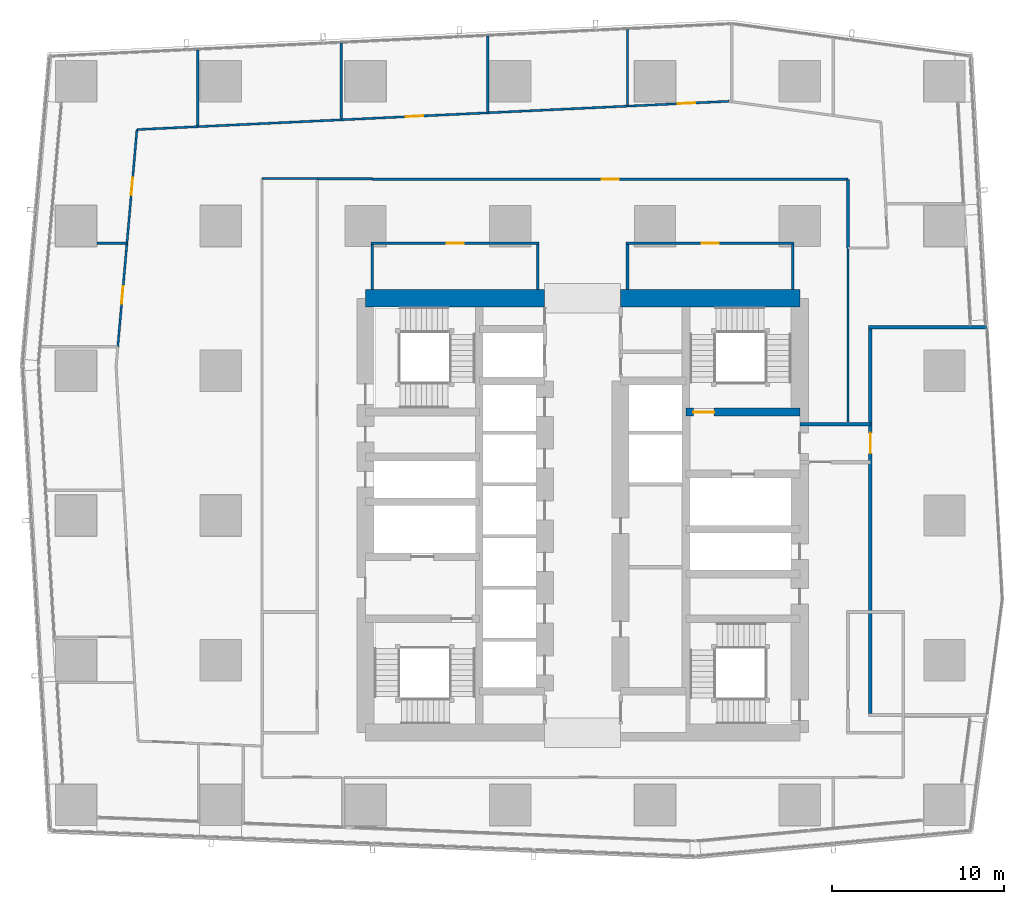
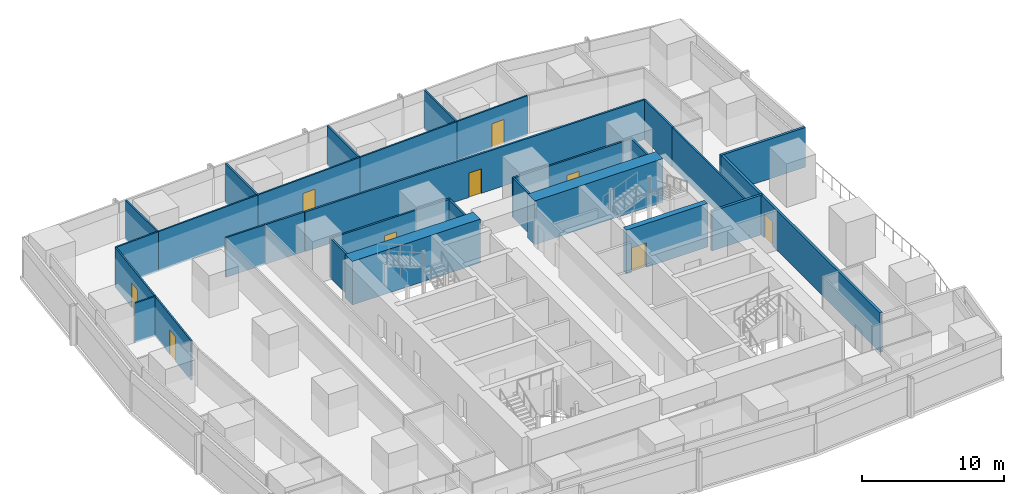
# One storey, part 25 of 34: 29 walls, 9 doors, 9 openings.
"""IFC4 building model written with IfcOpenShell, lengths in metres."""

from ifc_helpers import new_model, si_unit, direction, frame, frame_2d, origin, place, context, subcontext, project, spatial, rectangle, extrude, material, layer, layer_set, type_object, element, fill, save


model = new_model("IFC4")

# Units and contexts
model_context = context("Model", 3, precision=1e-05, world=origin(), true_north=direction((0.0, 1.0)))
body_context = subcontext(model_context, "Body", "Model", "MODEL_VIEW")
ifc_project = project(units=[si_unit("LENGTHUNIT", "METRE"), si_unit("AREAUNIT", "SQUARE_METRE"), si_unit("VOLUMEUNIT", "CUBIC_METRE"), si_unit("PLANEANGLEUNIT", "RADIAN"), si_unit("MASSUNIT", "GRAM", prefix="KILO")], contexts=[model_context])

# Site, building, storey
site_placement = place(None, origin())
site = spatial("IfcSite", under=ifc_project, at=site_placement, CompositionType="ELEMENT")
building_placement = place(site_placement, origin())
building = spatial("IfcBuilding", under=site, at=building_placement, Name="Rekha Terrace Tower", CompositionType="ELEMENT")
storey_placement = place(building_placement, frame((0.0, 0.0, 236.449951171875)))
storey = spatial("IfcBuildingStorey", under=building, at=storey_placement, Name="L60", CompositionType="ELEMENT", Elevation=236.449951171875)

# Wall, opening, door
ifc_material_1 = material(Name="Concrete M60", Category="concrete")
ifc_layer_1 = layer(ifc_material_1, 0.449951171875)
ifc_layer_set_1 = layer_set([ifc_layer_1], Name="Concrete M60")
wall_type_1 = type_object("IfcWallType", Name="CI3 450 core internal shear wall", PredefinedType="SHEAR", material=ifc_layer_set_1)
wall_1_placement = place(storey_placement, frame((43.800048828125, 39.60009765625, 0.0), z_axis=(0.0, 0.0, 1.0), x_axis=(1.0, 0.0, 0.0)))
wall_1 = element("IfcWall", 1, at=wall_1_placement, inside=storey, type_object=wall_type_1, Name="Core wall Y396E L60", PredefinedType="SHEAR", context=body_context, shape_type="SweptSolid", body=[
    extrude(rectangle(XDim=6.599853515625, YDim=0.449951171875, at=frame_2d((3.2998046875, 0.0))), origin(), (0.0, 0.0, 1.0), 3.75),
])
opening_1_placement = place(wall_1_placement, frame((0.425048828125, 0.0, 0.0)))
opening_1 = element("IfcOpeningElement", 2, at=opening_1_placement, cuts=wall_1, Name="Opening D1", PredefinedType="OPENING", context=body_context, shape_type="SweptSolid", body=[
    extrude(rectangle(XDim=1.199951171875, YDim=2.10009765625, at=frame_2d((0.60009765625, 1.050048828125))), frame((0.0, 0.23486328125, 0.0), z_axis=(0.0, -1.0, 0.0), x_axis=(1.0, 0.0, 0.0)), (0.0, 0.0, 1.0), 0.469970703125),
])
ifc_material_2 = material(Name="Steel fire door", Category="steel")
door_type_1 = type_object("IfcDoorType", Name="D1 1200x2100 stair fire door", OperationType="SINGLE_SWING_RIGHT", PredefinedType="DOOR", material=ifc_material_2)
door_1_placement = place(opening_1_placement, origin())
door_1 = element("IfcDoor", 3, at=door_1_placement, inside=storey, type_object=door_type_1, Name="Stair ST2 door L60", OperationType="SINGLE_SWING_RIGHT", OverallHeight=2.10009765625, OverallWidth=1.199951171875, PredefinedType="DOOR", context=body_context, shape_type="SweptSolid", body=[
    extrude(rectangle(XDim=1.199951171875, YDim=2.10009765625, at=frame_2d((0.60009765625, 1.050048828125))), frame((0.0, 0.02490234375, 0.0), z_axis=(0.0, -1.0, 0.0), x_axis=(1.0, 0.0, 0.0)), (0.0, 0.0, 1.0), 0.050048828125),
])
fill(opening_1, door_1)

# Walls
ifc_layer_2 = layer(ifc_material_1, 1.0)
ifc_layer_set_2 = layer_set([ifc_layer_2], Name="Concrete M60")
wall_type_2 = type_object("IfcWallType", Name="SW3 1000 core outer shear wall", PredefinedType="SHEAR", material=ifc_layer_set_2)
wall_2_placement = place(storey_placement, frame((25.199951171875, 46.199951171875, 0.0), z_axis=(0.0, 0.0, 1.0), x_axis=(1.0, 0.0, 0.0)))
element("IfcWall", 4, at=wall_2_placement, inside=storey, type_object=wall_type_2, Name="Core wall N1 L60", PredefinedType="SHEAR", context=body_context, shape_type="SweptSolid", body=[
    extrude(rectangle(XDim=10.400146484375, YDim=1.0, at=frame_2d((5.2001953125, 0.0))), origin(), (0.0, 0.0, 1.0), 3.75),
])
wall_3_placement = place(storey_placement, frame((40.0, 46.199951171875, 0.0), z_axis=(0.0, 0.0, 1.0), x_axis=(1.0, 0.0, 0.0)))
element("IfcWall", 5, at=wall_3_placement, inside=storey, type_object=wall_type_2, Name="Core wall N2 L60", PredefinedType="SHEAR", context=body_context, shape_type="SweptSolid", body=[
    extrude(rectangle(XDim=10.39990234375, YDim=1.0, at=frame_2d((5.199951171875, 0.0))), origin(), (0.0, 0.0, 1.0), 3.75),
])

# Wall, opening, door
ifc_material_3 = material(Name="Concrete block masonry, 1 hour", Category="masonry")
ifc_layer_3 = layer(ifc_material_3, 0.14990234375)
ifc_layer_set_3 = layer_set([ifc_layer_3], Name="Concrete block masonry, 1 hour")
wall_type_3 = type_object("IfcWallType", Name="WP2 150 tenancy partition", PredefinedType="PARTITIONING", material=ifc_layer_set_3)
wall_4_placement = place(storey_placement, frame((40.324951171875, 49.39990234375, 0.0), z_axis=(0.0, 0.0, 1.0), x_axis=(1.0, 0.0, 0.0)))
wall_4 = element("IfcWall", 6, at=wall_4_placement, inside=storey, type_object=wall_type_3, Name="Women's WC wall L60", PredefinedType="PARTITIONING", context=body_context, shape_type="SweptSolid", body=[
    extrude(rectangle(XDim=9.75, YDim=0.14990234375, at=frame_2d((4.875, 0.0))), origin(), (0.0, 0.0, 1.0), 3.400146484375),
])
opening_2_placement = place(wall_4_placement, frame((4.375, 0.0, 0.0)))
opening_2 = element("IfcOpeningElement", 7, at=opening_2_placement, cuts=wall_4, Name="Opening D3", PredefinedType="OPENING", context=body_context, shape_type="SweptSolid", body=[
    extrude(rectangle(XDim=1.0, YDim=2.10009765625, at=frame_2d((0.5, 1.050048828125))), frame((0.0, 0.0849609375, 0.0), z_axis=(0.0, -1.0, 0.0), x_axis=(1.0, 0.0, 0.0)), (0.0, 0.0, 1.0), 0.169921875),
])
ifc_material_4 = material(Name="Laminated timber fire door", Category="wood")
door_type_2 = type_object("IfcDoorType", Name="D3 1000x2100 WC door", OperationType="SINGLE_SWING_LEFT", PredefinedType="DOOR", material=ifc_material_4)
door_2_placement = place(opening_2_placement, origin())
door_2 = element("IfcDoor", 8, at=door_2_placement, inside=storey, type_object=door_type_2, Name="Door women's wc L60", OperationType="SINGLE_SWING_LEFT", OverallHeight=2.10009765625, OverallWidth=1.0, PredefinedType="DOOR", context=body_context, shape_type="SweptSolid", body=[
    extrude(rectangle(XDim=1.0, YDim=2.10009765625, at=frame_2d((0.5, 1.050048828125))), frame((0.0, 0.02490234375, 0.0), z_axis=(0.0, -1.0, 0.0), x_axis=(1.0, 0.0, 0.0)), (0.0, 0.0, 1.0), 0.050048828125),
])
fill(opening_2, door_2)

# Walls
for number, where, z_axis, x_axis, name in (
    (9, (40.39990234375, 46.699951171875, 0.0), (0.0, 0.0, 1.0), (0.0, 1.0, 0.0), "Women's WC wall L60"),
    (10, (50.0, 46.699951171875, 0.0), (0.0, 0.0, 1.0), (0.0, 1.0, 0.0), "Women's WC wall L60"),
):
    element("IfcWall", number, at=place(storey_placement, frame(where, z_axis=z_axis, x_axis=x_axis)), inside=storey, type_object=wall_type_3, Name=name, PredefinedType="PARTITIONING", context=body_context, shape_type="SweptSolid", body=[
        extrude(rectangle(XDim=2.625, YDim=0.14990234375, at=frame_2d((1.3125, 0.0))), origin(), (0.0, 0.0, 1.0), 3.400146484375),
    ])

# Wall, opening, door
wall_5_placement = place(storey_placement, frame((25.52490234375, 49.39990234375, 0.0), z_axis=(0.0, 0.0, 1.0), x_axis=(1.0, 0.0, 0.0)))
wall_5 = element("IfcWall", 11, at=wall_5_placement, inside=storey, type_object=wall_type_3, Name="Women's WC wall L60", PredefinedType="PARTITIONING", context=body_context, shape_type="SweptSolid", body=[
    extrude(rectangle(XDim=9.75, YDim=0.14990234375, at=frame_2d((4.875, 0.0))), origin(), (0.0, 0.0, 1.0), 3.400146484375),
])
opening_3_placement = place(wall_5_placement, frame((4.375, 0.0, 0.0)))
opening_3 = element("IfcOpeningElement", 12, at=opening_3_placement, cuts=wall_5, Name="Opening D3", PredefinedType="OPENING", context=body_context, shape_type="SweptSolid", body=[
    extrude(rectangle(XDim=1.0, YDim=2.10009765625, at=frame_2d((0.5, 1.050048828125))), frame((0.0, 0.0849609375, 0.0), z_axis=(0.0, -1.0, 0.0), x_axis=(1.0, 0.0, 0.0)), (0.0, 0.0, 1.0), 0.169921875),
])
door_3_placement = place(opening_3_placement, origin())
door_3 = element("IfcDoor", 13, at=door_3_placement, inside=storey, type_object=door_type_2, Name="Door women's wc L60", OperationType="SINGLE_SWING_LEFT", OverallHeight=2.10009765625, OverallWidth=1.0, PredefinedType="DOOR", context=body_context, shape_type="SweptSolid", body=[
    extrude(rectangle(XDim=1.0, YDim=2.10009765625, at=frame_2d((0.5, 1.050048828125))), frame((0.0, 0.02490234375, 0.0), z_axis=(0.0, -1.0, 0.0), x_axis=(1.0, 0.0, 0.0)), (0.0, 0.0, 1.0), 0.050048828125),
])
fill(opening_3, door_3)

# Walls
for number, where, z_axis, x_axis, name in (
    (14, (25.60009765625, 46.699951171875, 0.0), (0.0, 0.0, 1.0), (0.0, 1.0, 0.0), "Women's WC wall L60"),
    (15, (35.199951171875, 46.699951171875, 0.0), (0.0, 0.0, 1.0), (0.0, 1.0, 0.0), "Women's WC wall L60"),
):
    element("IfcWall", number, at=place(storey_placement, frame(where, z_axis=z_axis, x_axis=x_axis)), inside=storey, type_object=wall_type_3, Name=name, PredefinedType="PARTITIONING", context=body_context, shape_type="SweptSolid", body=[
        extrude(rectangle(XDim=2.625, YDim=0.14990234375, at=frame_2d((1.3125, 0.0))), origin(), (0.0, 0.0, 1.0), 3.400146484375),
    ])
wall_6_placement = place(storey_placement, frame((32.301025390625, 61.4208984375, 0.0), z_axis=(0.0, 0.0, 1.0), x_axis=(0.0, -1.0, 0.0)))
element("IfcWall", 16, at=wall_6_placement, inside=storey, type_object=wall_type_3, Name="Partition L60-O1", PredefinedType="PARTITIONING", context=body_context, shape_type="SweptSolid", body=[
    extrude(rectangle(XDim=4.391845703125, YDim=0.14990234375, at=frame_2d((2.19580078125, 0.0))), origin(), (0.0, 0.0, 1.0), 3.400146484375),
])
wall_7_placement = place(storey_placement, frame((53.199951171875, 49.12890625, 0.0), z_axis=(0.0, 0.0, 1.0), x_axis=(0.0, 1.0, 0.0)))
element("IfcWall", 17, at=wall_7_placement, inside=storey, type_object=wall_type_3, Name="Partition L60-O1", PredefinedType="PARTITIONING", context=body_context, shape_type="SweptSolid", body=[
    extrude(rectangle(XDim=3.97119140625, YDim=0.14990234375, at=frame_2d((1.985595703125, 0.0))), origin(), (0.0, 0.0, 1.0), 3.400146484375),
])

# Wall, opening, door
wall_8_placement = place(storey_placement, frame((53.199951171875, 53.10009765625, 0.0), z_axis=(0.0, 0.0, 1.0), x_axis=(-1.0, 0.0, 0.0)))
wall_8 = element("IfcWall", 18, at=wall_8_placement, inside=storey, type_object=wall_type_3, Name="Partition L60-O1", PredefinedType="PARTITIONING", context=body_context, shape_type="SweptSolid", body=[
    extrude(rectangle(XDim=27.599853515625, YDim=0.14990234375, at=frame_2d((13.7998046875, 0.0))), origin(), (0.0, 0.0, 1.0), 3.400146484375),
])
opening_4_placement = place(wall_8_placement, frame((13.300048828125, 0.0, 0.0)))
opening_4 = element("IfcOpeningElement", 19, at=opening_4_placement, cuts=wall_8, Name="Opening D9", PredefinedType="OPENING", context=body_context, shape_type="SweptSolid", body=[
    extrude(rectangle(XDim=1.0, YDim=2.10009765625, at=frame_2d((0.5, 1.050048828125))), frame((0.0, 0.0849609375, 0.0), z_axis=(0.0, -1.0, 0.0), x_axis=(1.0, 0.0, 0.0)), (0.0, 0.0, 1.0), 0.169921875),
])
ifc_material_5 = material(Name="Timber fire door", Category="wood")
door_type_3 = type_object("IfcDoorType", Name="D9 1000x2100 office door", OperationType="SINGLE_SWING_LEFT", PredefinedType="DOOR", material=ifc_material_5)
door_4_placement = place(opening_4_placement, origin())
door_4 = element("IfcDoor", 20, at=door_4_placement, inside=storey, type_object=door_type_3, Name="Door open-plan office L60", OperationType="SINGLE_SWING_LEFT", OverallHeight=2.10009765625, OverallWidth=1.0, PredefinedType="DOOR", context=body_context, shape_type="SweptSolid", body=[
    extrude(rectangle(XDim=1.0, YDim=2.10009765625, at=frame_2d((0.5, 1.050048828125))), frame((0.0, 0.02490234375, 0.0), z_axis=(0.0, -1.0, 0.0), x_axis=(1.0, 0.0, 0.0)), (0.0, 0.0, 1.0), 0.050048828125),
])
fill(opening_4, door_4)

# Walls
wall_9_placement = place(storey_placement, frame((25.60009765625, 53.14990234375, 0.0), z_axis=(0.0, 0.0, 1.0), x_axis=(-1.0, 0.0, 0.0)))
element("IfcWall", 21, at=wall_9_placement, inside=storey, type_object=wall_type_3, Name="Partition L60-O1", PredefinedType="PARTITIONING", context=body_context, shape_type="SweptSolid", body=[
    extrude(rectangle(XDim=3.2001953125, YDim=0.14990234375, at=frame_2d((1.60009765625, 0.0))), origin(), (0.0, 0.0, 1.0), 3.400146484375),
])
wall_10_placement = place(storey_placement, frame((23.79296875, 56.6220703125, 0.0), z_axis=(0.0, 0.0, 1.0), x_axis=(0.0, 1.0, 0.0)))
element("IfcWall", 22, at=wall_10_placement, inside=storey, type_object=wall_type_3, Name="Partition L60-O1", PredefinedType="PARTITIONING", context=body_context, shape_type="SweptSolid", body=[
    extrude(rectangle(XDim=4.392822265625, YDim=0.14990234375, at=frame_2d((2.1962890625, 0.0))), origin(), (0.0, 0.0, 1.0), 3.400146484375),
])
ifc_material_6 = material(Name="Two layers of fire-rated gypsum board each side on steel studs, acoustic quilt, 1 hour", Category="steel")
ifc_layer_4 = layer(ifc_material_6, 0.125)
ifc_layer_set_4 = layer_set([ifc_layer_4], Name="Two layers of fire-rated gypsum board each side on steel studs, acoustic quilt, 1 hour")
wall_type_4 = type_object("IfcWallType", Name="WP3 125 office partition", PredefinedType="PARTITIONING", material=ifc_layer_set_4)
wall_11_placement = place(storey_placement, frame((53.199951171875, 39.010986328125, 0.0), z_axis=(0.0, 0.0, 1.0), x_axis=(0.0, 1.0, 0.0)))
element("IfcWall", 23, at=wall_11_placement, inside=storey, type_object=wall_type_4, Name="Partition L60-04", PredefinedType="PARTITIONING", context=body_context, shape_type="SweptSolid", body=[
    extrude(rectangle(XDim=10.117919921875, YDim=0.125, at=frame_2d((5.05908203125, 0.0))), origin(), (0.0, 0.0, 1.0), 3.400146484375),
])

# Wall, opening, door
wall_12_placement = place(storey_placement, frame((46.281005859375, 57.634033203125, 0.0), z_axis=(0.0, 0.0, 1.0), x_axis=(-0.998860054082, -0.047734603373, 0.0)))
wall_12 = element("IfcWall", 24, at=wall_12_placement, inside=storey, type_object=wall_type_4, Name="Partition L60-05", PredefinedType="PARTITIONING", context=body_context, shape_type="SweptSolid", body=[
    extrude(rectangle(XDim=5.88671875, YDim=0.125, at=frame_2d((2.943359375, 0.0))), origin(), (0.0, 0.0, 1.0), 3.400146484375),
])
opening_5_placement = place(wall_12_placement, frame((1.9609375, 0.0, 0.0)))
opening_5 = element("IfcOpeningElement", 25, at=opening_5_placement, cuts=wall_12, Name="Opening D9", PredefinedType="OPENING", context=body_context, shape_type="SweptSolid", body=[
    extrude(rectangle(XDim=1.0, YDim=2.10009765625, at=frame_2d((0.5, 1.050048828125))), frame((0.0, 0.072509765625, 0.0), z_axis=(0.0, -1.0, 0.0), x_axis=(1.0, 0.0, 0.0)), (0.0, 0.0, 1.0), 0.14501953125),
])
door_5_placement = place(opening_5_placement, origin())
door_5 = element("IfcDoor", 26, at=door_5_placement, inside=storey, type_object=door_type_3, Name="Door office L60", OperationType="SINGLE_SWING_LEFT", OverallHeight=2.10009765625, OverallWidth=1.0, PredefinedType="DOOR", context=body_context, shape_type="SweptSolid", body=[
    extrude(rectangle(XDim=1.0, YDim=2.10009765625, at=frame_2d((0.5, 1.050048828125))), frame((0.0, 0.02490234375, 0.0), z_axis=(0.0, -1.0, 0.0), x_axis=(1.0, 0.0, 0.0)), (0.0, 0.0, 1.0), 0.050048828125),
])
fill(opening_5, door_5)

# Walls
wall_13_placement = place(storey_placement, frame((40.40087890625, 57.35302734375, 0.0), z_axis=(0.0, 0.0, 1.0), x_axis=(0.0, 1.0, 0.0)))
element("IfcWall", 27, at=wall_13_placement, inside=storey, type_object=wall_type_4, Name="Partition L60-05", PredefinedType="PARTITIONING", context=body_context, shape_type="SweptSolid", body=[
    extrude(rectangle(XDim=4.4560546875, YDim=0.125, at=frame_2d((2.22802734375, 0.0))), origin(), (0.0, 0.0, 1.0), 3.400146484375),
])
wall_14_placement = place(storey_placement, frame((40.39990234375, 57.35302734375, 0.0), z_axis=(0.0, 0.0, 1.0), x_axis=(-0.998860220643, -0.047731117903, 0.0)))
element("IfcWall", 28, at=wall_14_placement, inside=storey, type_object=wall_type_4, Name="Partition L60-06", PredefinedType="PARTITIONING", context=body_context, shape_type="SweptSolid", body=[
    extrude(rectangle(XDim=8.107177734375, YDim=0.125, at=frame_2d((4.0537109375, 0.0))), origin(), (0.0, 0.0, 1.0), 3.400146484375),
])

# Wall, opening, door
wall_15_placement = place(storey_placement, frame((32.302001953125, 56.966064453125, 0.0), z_axis=(0.0, 0.0, 1.0), x_axis=(-0.998858391998, -0.047769370269, 0.0)))
wall_15 = element("IfcWall", 29, at=wall_15_placement, inside=storey, type_object=wall_type_4, Name="Partition L60-06", PredefinedType="PARTITIONING", context=body_context, shape_type="SweptSolid", body=[
    extrude(rectangle(XDim=8.519775390625, YDim=0.125, at=frame_2d((4.259765625, 0.0))), origin(), (0.0, 0.0, 1.0), 3.400146484375),
])
opening_6_placement = place(wall_15_placement, frame((3.760009765625, 0.0, 0.0)))
opening_6 = element("IfcOpeningElement", 30, at=opening_6_placement, cuts=wall_15, Name="Opening D9", PredefinedType="OPENING", context=body_context, shape_type="SweptSolid", body=[
    extrude(rectangle(XDim=1.0, YDim=2.10009765625, at=frame_2d((0.5, 1.050048828125))), frame((0.0, 0.072509765625, 0.0), z_axis=(0.0, -1.0, 0.0), x_axis=(1.0, 0.0, 0.0)), (0.0, 0.0, 1.0), 0.14501953125),
])
door_6_placement = place(opening_6_placement, origin())
door_6 = element("IfcDoor", 31, at=door_6_placement, inside=storey, type_object=door_type_3, Name="Door office L60", OperationType="SINGLE_SWING_LEFT", OverallHeight=2.10009765625, OverallWidth=1.0, PredefinedType="DOOR", context=body_context, shape_type="SweptSolid", body=[
    extrude(rectangle(XDim=1.0, YDim=2.10009765625, at=frame_2d((0.5, 1.050048828125))), frame((0.0, 0.02490234375, 0.0), z_axis=(0.0, -1.0, 0.0), x_axis=(1.0, 0.0, 0.0)), (0.0, 0.0, 1.0), 0.050048828125),
])
fill(opening_6, door_6)

# Walls
wall_16_placement = place(storey_placement, frame((23.7919921875, 56.55908203125, 0.0), z_axis=(0.0, 0.0, 1.0), x_axis=(-0.998858041753, -0.047776693337, 0.0)))
element("IfcWall", 32, at=wall_16_placement, inside=storey, type_object=wall_type_4, Name="Partition L60-06", PredefinedType="PARTITIONING", context=body_context, shape_type="SweptSolid", body=[
    extrude(rectangle(XDim=8.33447265625, YDim=0.125, at=frame_2d((4.167236328125, 0.0))), origin(), (0.0, 0.0, 1.0), 3.400146484375),
])
wall_17_placement = place(storey_placement, frame((15.467041015625, 56.160888671875, 0.0), z_axis=(0.0, 0.0, 1.0), x_axis=(0.0, 1.0, 0.0)))
element("IfcWall", 33, at=wall_17_placement, inside=storey, type_object=wall_type_4, Name="Partition L60-06", PredefinedType="PARTITIONING", context=body_context, shape_type="SweptSolid", body=[
    extrude(rectangle(XDim=4.4560546875, YDim=0.125, at=frame_2d((2.22802734375, 0.0))), origin(), (0.0, 0.0, 1.0), 3.400146484375),
])
wall_18_placement = place(storey_placement, frame((11.35595703125, 49.39794921875, 0.0), z_axis=(0.0, 0.0, 1.0), x_axis=(-1.0, 0.0, 0.0)))
element("IfcWall", 34, at=wall_18_placement, inside=storey, type_object=wall_type_4, Name="Partition L60-07", PredefinedType="PARTITIONING", context=body_context, shape_type="SweptSolid", body=[
    extrude(rectangle(XDim=1.73583984375, YDim=0.125, at=frame_2d((0.867919921875, 0.0))), origin(), (0.0, 0.0, 1.0), 3.400146484375),
])
wall_19_placement = place(storey_placement, frame((15.466064453125, 56.160888671875, 0.0), z_axis=(0.0, 0.0, 1.0), x_axis=(-0.998868606823, -0.047555297315, 0.0)))
element("IfcWall", 35, at=wall_19_placement, inside=storey, type_object=wall_type_4, Name="Partition L60-07", PredefinedType="PARTITIONING", context=body_context, shape_type="SweptSolid", body=[
    extrude(rectangle(XDim=3.531982421875, YDim=0.125, at=frame_2d((1.76611328125, 0.0))), origin(), (0.0, 0.0, 1.0), 3.400146484375),
])

# Wall, opening, door
wall_20_placement = place(storey_placement, frame((11.93798828125, 55.992919921875, 0.0), z_axis=(0.0, 0.0, 1.0), x_axis=(-0.087912105784, -0.996128235548, 0.0)))
wall_20 = element("IfcWall", 36, at=wall_20_placement, inside=storey, type_object=wall_type_4, Name="Partition L60-07", PredefinedType="PARTITIONING", context=body_context, shape_type="SweptSolid", body=[
    extrude(rectangle(XDim=6.62060546875, YDim=0.125, at=frame_2d((3.310302734375, 0.0))), origin(), (0.0, 0.0, 1.0), 3.400146484375),
])
opening_7_placement = place(wall_20_placement, frame((2.81005859375, 0.0, 0.0)))
opening_7 = element("IfcOpeningElement", 37, at=opening_7_placement, cuts=wall_20, Name="Opening D9", PredefinedType="OPENING", context=body_context, shape_type="SweptSolid", body=[
    extrude(rectangle(XDim=1.0, YDim=2.10009765625, at=frame_2d((0.5, 1.050048828125))), frame((0.0, 0.072509765625, 0.0), z_axis=(0.0, -1.0, 0.0), x_axis=(1.0, 0.0, 0.0)), (0.0, 0.0, 1.0), 0.14501953125),
])
door_7_placement = place(opening_7_placement, origin())
door_7 = element("IfcDoor", 38, at=door_7_placement, inside=storey, type_object=door_type_3, Name="Door director's office L60", OperationType="SINGLE_SWING_LEFT", OverallHeight=2.10009765625, OverallWidth=1.0, PredefinedType="DOOR", context=body_context, shape_type="SweptSolid", body=[
    extrude(rectangle(XDim=1.0, YDim=2.10009765625, at=frame_2d((0.5, 1.050048828125))), frame((0.0, 0.02490234375, 0.0), z_axis=(0.0, -1.0, 0.0), x_axis=(1.0, 0.0, 0.0)), (0.0, 0.0, 1.0), 0.050048828125),
])
fill(opening_7, door_7)

wall_21_placement = place(storey_placement, frame((11.35595703125, 49.39697265625, 0.0), z_axis=(0.0, 0.0, 1.0), x_axis=(-0.08792454125, -0.996127137993, 0.0)))
wall_21 = element("IfcWall", 39, at=wall_21_placement, inside=storey, type_object=wall_type_4, Name="Partition L60-08", PredefinedType="PARTITIONING", context=body_context, shape_type="SweptSolid", body=[
    extrude(rectangle(XDim=6.0283203125, YDim=0.125, at=frame_2d((3.01416015625, 0.0))), origin(), (0.0, 0.0, 1.0), 3.400146484375),
])
opening_8_placement = place(wall_21_placement, frame((2.513916015625, 0.0, 0.0)))
opening_8 = element("IfcOpeningElement", 40, at=opening_8_placement, cuts=wall_21, Name="Opening D9", PredefinedType="OPENING", context=body_context, shape_type="SweptSolid", body=[
    extrude(rectangle(XDim=1.0, YDim=2.10009765625, at=frame_2d((0.5, 1.050048828125))), frame((0.0, 0.072509765625, 0.0), z_axis=(0.0, -1.0, 0.0), x_axis=(1.0, 0.0, 0.0)), (0.0, 0.0, 1.0), 0.14501953125),
])
door_8_placement = place(opening_8_placement, origin())
door_8 = element("IfcDoor", 41, at=door_8_placement, inside=storey, type_object=door_type_3, Name="Door office L60", OperationType="SINGLE_SWING_LEFT", OverallHeight=2.10009765625, OverallWidth=1.0, PredefinedType="DOOR", context=body_context, shape_type="SweptSolid", body=[
    extrude(rectangle(XDim=1.0, YDim=2.10009765625, at=frame_2d((0.5, 1.050048828125))), frame((0.0, 0.02490234375, 0.0), z_axis=(0.0, -1.0, 0.0), x_axis=(1.0, 0.0, 0.0)), (0.0, 0.0, 1.0), 0.050048828125),
])
fill(opening_8, door_8)

# Wall
wall_22_placement = place(storey_placement, frame((19.199951171875, 53.14990234375, 0.0), z_axis=(0.0, 0.0, 1.0), x_axis=(1.0, 0.0, 0.0)))
element("IfcWall", 42, at=wall_22_placement, inside=storey, type_object=wall_type_4, Name="Partition L60-14", PredefinedType="PARTITIONING", context=body_context, shape_type="SweptSolid", body=[
    extrude(rectangle(XDim=3.199951171875, YDim=0.125, at=frame_2d((1.60009765625, 0.0))), origin(), (0.0, 0.0, 1.0), 3.400146484375),
])

# Wall, opening, door
ifc_material_7 = material(Name="Solid concrete block masonry, 2 hour", Category="masonry")
ifc_layer_5 = layer(ifc_material_7, 0.199951171875)
ifc_layer_set_5 = layer_set([ifc_layer_5], Name="Solid concrete block masonry, 2 hour")
wall_type_5 = type_object("IfcWallType", Name="WS1 200 stair and shaft enclosure", PredefinedType="PARTITIONING", material=ifc_layer_set_5)
wall_23_placement = place(storey_placement, frame((54.5, 22.1220703125, 0.0), z_axis=(0.0, 0.0, 1.0), x_axis=(0.0, 1.0, 0.0)))
wall_23 = element("IfcWall", 43, at=wall_23_placement, inside=storey, type_object=wall_type_5, Name="Refuge area inner wall L60", PredefinedType="PARTITIONING", context=body_context, shape_type="SweptSolid", body=[
    extrude(rectangle(XDim=22.305908203125, YDim=0.199951171875, at=frame_2d((11.15283203125, 0.0))), origin(), (0.0, 0.0, 1.0), 3.400146484375),
])
opening_9_placement = place(wall_23_placement, frame((15.077880859375, 0.0, 0.0)))
opening_9 = element("IfcOpeningElement", 44, at=opening_9_placement, cuts=wall_23, Name="Opening D2", PredefinedType="OPENING", context=body_context, shape_type="SweptSolid", body=[
    extrude(rectangle(XDim=1.199951171875, YDim=2.10009765625, at=frame_2d((0.60009765625, 1.050048828125))), frame((0.0, 0.10986328125, 0.0), z_axis=(0.0, -1.0, 0.0), x_axis=(1.0, 0.0, 0.0)), (0.0, 0.0, 1.0), 0.219970703125),
])
door_type_4 = type_object("IfcDoorType", Name="D2 1200x2100 firefighting lobby door", OperationType="SINGLE_SWING_LEFT", PredefinedType="DOOR", material=ifc_material_2)
door_9_placement = place(opening_9_placement, origin())
door_9 = element("IfcDoor", 45, at=door_9_placement, inside=storey, type_object=door_type_4, Name="Refuge area door L60", OperationType="SINGLE_SWING_LEFT", OverallHeight=2.10009765625, OverallWidth=1.199951171875, PredefinedType="DOOR", context=body_context, shape_type="SweptSolid", body=[
    extrude(rectangle(XDim=1.199951171875, YDim=2.10009765625, at=frame_2d((0.60009765625, 1.050048828125))), frame((0.0, 0.02490234375, 0.0), z_axis=(0.0, -1.0, 0.0), x_axis=(1.0, 0.0, 0.0)), (0.0, 0.0, 1.0), 0.050048828125),
])
fill(opening_9, door_9)

# Walls
wall_24_placement = place(storey_placement, frame((54.39990234375, 44.528076171875, 0.0), z_axis=(0.0, 0.0, 1.0), x_axis=(1.0, 0.0, 0.0)))
element("IfcWall", 46, at=wall_24_placement, inside=storey, type_object=wall_type_5, Name="Refuge area north wall L60", PredefinedType="PARTITIONING", context=body_context, shape_type="SweptSolid", body=[
    extrude(rectangle(XDim=6.85400390625, YDim=0.199951171875, at=frame_2d((3.427001953125, 0.0))), origin(), (0.0, 0.0, 1.0), 3.400146484375),
])
wall_25_placement = place(storey_placement, frame((50.39990234375, 38.89990234375, 0.0), z_axis=(0.0, 0.0, 1.0), x_axis=(1.0, 0.0, 0.0)))
element("IfcWall", 47, at=wall_25_placement, inside=storey, type_object=wall_type_5, Name="Refuge corridor north wall L60", PredefinedType="PARTITIONING", context=body_context, shape_type="SweptSolid", body=[
    extrude(rectangle(XDim=4.10009765625, YDim=0.199951171875, at=frame_2d((2.050048828125, 0.0))), origin(), (0.0, 0.0, 1.0), 3.400146484375),
])

save(model, "model.ifc")
